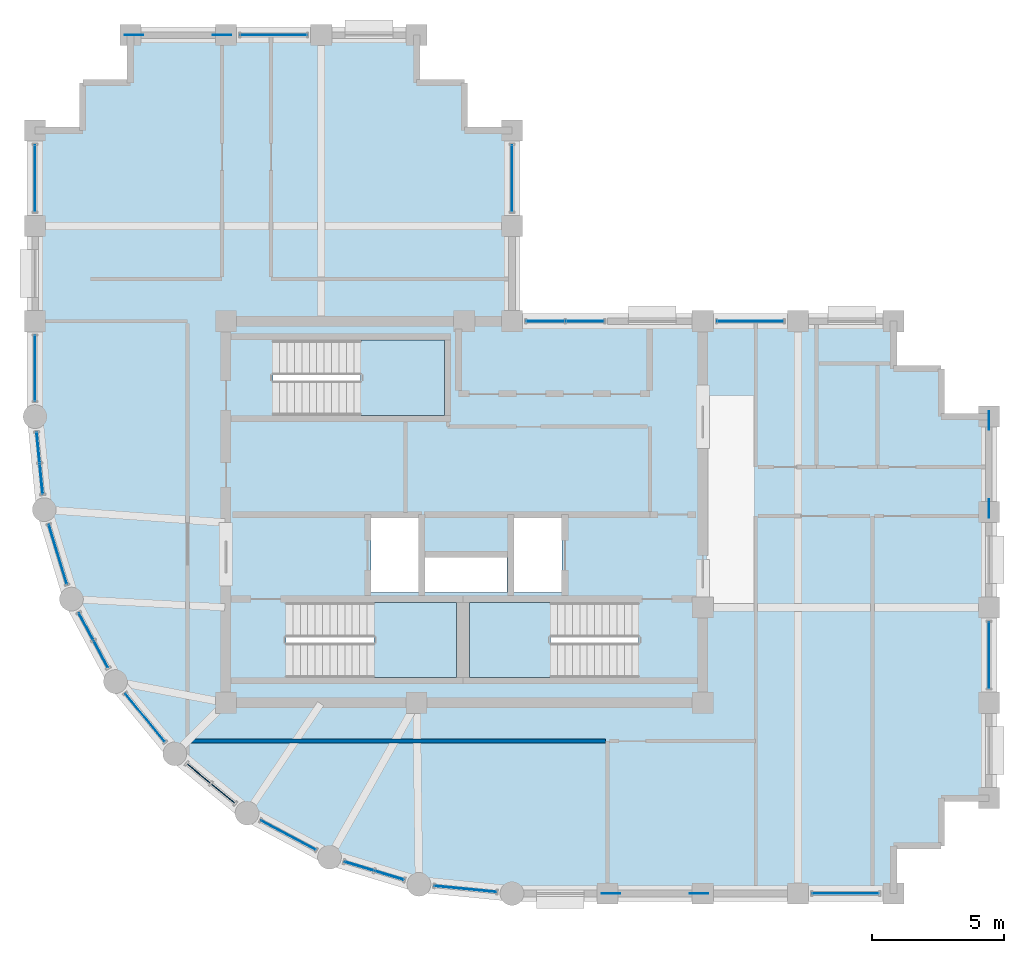
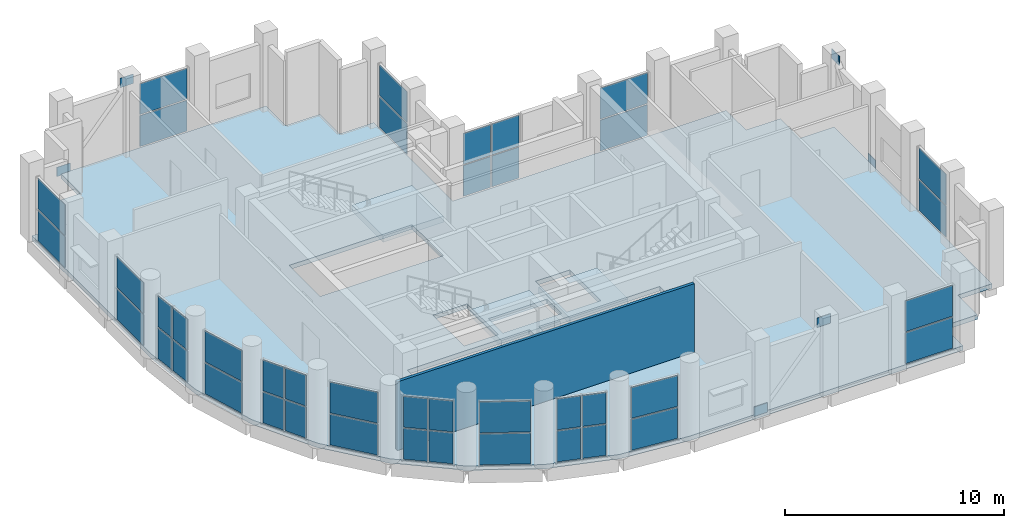
# One storey, part 13 of 18: 48 plates, 4 slabs, 1 wall, 19 elements without a shape of their own.
"""IFC4 building model written with IfcOpenShell, lengths in metres."""

from ifc_helpers import new_model, si_unit, direction, frame, frame_2d, origin, origin_2d, place, context, subcontext, project, spatial, polyline, rectangle, outline, extrude, material, layer, layer_set, type_object, element, aggregate, save


model = new_model("IFC4")

# Units and contexts
model_context = context("Model", 3, precision=1e-05, world=origin(), true_north=direction((0.0, 1.0)))
body_context = subcontext(model_context, "Body", "Model", "MODEL_VIEW")
ifc_project = project(units=[si_unit("LENGTHUNIT", "METRE"), si_unit("AREAUNIT", "SQUARE_METRE"), si_unit("VOLUMEUNIT", "CUBIC_METRE"), si_unit("PLANEANGLEUNIT", "RADIAN"), si_unit("MASSUNIT", "GRAM", prefix="KILO")], contexts=[model_context])

# Site, building, storey
site_placement = place(None, origin())
site = spatial("IfcSite", under=ifc_project, at=site_placement, CompositionType="ELEMENT")
building_placement = place(site_placement, origin())
building = spatial("IfcBuilding", under=site, at=building_placement, Name="Solnavia Interchange Tower", CompositionType="ELEMENT")
storey_placement = place(building_placement, frame((0.0, 0.0, 295.39990234375)))
storey = spatial("IfcBuildingStorey", under=building, at=storey_placement, Name="L75", CompositionType="ELEMENT", Elevation=295.39990234375)

# Curtain wall, plates
ifc_material_1 = material(Name="Aluminium Alloy 6063-T6", Category="aluminium")
ifc_layer_1 = layer(ifc_material_1, 0.219970703125)
ifc_layer_set_1 = layer_set([ifc_layer_1], Name="Aluminium Alloy 6063-T6")
curtain_wall_type_1 = type_object("IfcCurtainWallType", Name="CurtainWall-Tower-CTW3", PredefinedType="NOTDEFINED", material=ifc_layer_set_1)
curtain_wall_1_placement = place(storey_placement, origin())
curtain_wall_1 = element("IfcCurtainWall", 1, at=curtain_wall_1_placement, inside=storey, type_object=curtain_wall_type_1, Name="CTW-L75-S04 CTW-3 curtain wall", PredefinedType="NOTDEFINED")
ifc_material_2 = material(Name="Double-Glazed Low-E IGU Glass", Category="glass")
ifc_layer_2 = layer(ifc_material_2, 0.02587890625)
ifc_layer_set_2 = layer_set([ifc_layer_2], Name="Double-Glazed Low-E IGU Glass")
plate_type_1 = type_object("IfcPlateType", Name="CW-Panel-LowE-26", PredefinedType="CURTAIN_PANEL", material=ifc_layer_set_2)
plate_1_placement = place(storey_placement, frame((37.800048828125, 3.60009765625, 0.06494140625), z_axis=(0.0, 0.0, 1.0), x_axis=(1.0, 0.0, 0.0)))
plate_1 = element("IfcPlate", 2, at=plate_1_placement, type_object=plate_type_1, Name="CTW-3 panel 1.1", PredefinedType="CURTAIN_PANEL", context=body_context, shape_type="SweptSolid", body=[
    extrude(rectangle(XDim=2.489990234375, YDim=0.02587890625, at=origin_2d()), origin(), (0.0, 0.0, 1.0), 1.717529296875),
])
plate_2_placement = place(storey_placement, frame((37.800048828125, 3.60009765625, 1.84765625), z_axis=(0.0, 0.0, 1.0), x_axis=(1.0, 0.0, 0.0)))
plate_2 = element("IfcPlate", 3, at=plate_2_placement, type_object=plate_type_1, Name="CTW-3 panel 1.2", PredefinedType="CURTAIN_PANEL", context=body_context, shape_type="SweptSolid", body=[
    extrude(rectangle(XDim=2.489990234375, YDim=0.02587890625, at=origin_2d()), origin(), (0.0, 0.0, 1.0), 1.717529296875),
])
aggregate(curtain_wall_1, [plate_1, plate_2])

curtain_wall_2_placement = place(storey_placement, origin())
curtain_wall_2 = element("IfcCurtainWall", 4, at=curtain_wall_2_placement, inside=storey, type_object=curtain_wall_type_1, Name="CTW-L75-S10 CTW-3 curtain wall", PredefinedType="NOTDEFINED")
plate_3_placement = place(storey_placement, frame((43.199951171875, 12.60009765625, 0.06494140625), z_axis=(0.0, 0.0, 1.0), x_axis=(0.0, 1.0, 0.0)))
plate_3 = element("IfcPlate", 5, at=plate_3_placement, type_object=plate_type_1, Name="CTW-3 panel 1.1", PredefinedType="CURTAIN_PANEL", context=body_context, shape_type="SweptSolid", body=[
    extrude(rectangle(XDim=2.489990234375, YDim=0.02587890625, at=origin_2d()), origin(), (0.0, 0.0, 1.0), 1.717529296875),
])
plate_4_placement = place(storey_placement, frame((43.199951171875, 12.60009765625, 1.84765625), z_axis=(0.0, 0.0, 1.0), x_axis=(0.0, 1.0, 0.0)))
plate_4 = element("IfcPlate", 6, at=plate_4_placement, type_object=plate_type_1, Name="CTW-3 panel 1.2", PredefinedType="CURTAIN_PANEL", context=body_context, shape_type="SweptSolid", body=[
    extrude(rectangle(XDim=2.489990234375, YDim=0.02587890625, at=origin_2d()), origin(), (0.0, 0.0, 1.0), 1.717529296875),
])
aggregate(curtain_wall_2, [plate_3, plate_4])

curtain_wall_3_placement = place(storey_placement, origin())
curtain_wall_3 = element("IfcCurtainWall", 7, at=curtain_wall_3_placement, inside=storey, type_object=curtain_wall_type_1, Name="CTW-L75-S18 CTW-3 curtain wall", PredefinedType="NOTDEFINED")
plate_5_placement = place(storey_placement, frame((34.199951171875, 25.199951171875, 0.06494140625), z_axis=(0.0, 0.0, 1.0), x_axis=(-1.0, 0.0, 0.0)))
plate_5 = element("IfcPlate", 8, at=plate_5_placement, type_object=plate_type_1, Name="CTW-3 panel 1.1", PredefinedType="CURTAIN_PANEL", context=body_context, shape_type="SweptSolid", body=[
    extrude(rectangle(XDim=2.489990234375, YDim=0.02587890625, at=origin_2d()), origin(), (0.0, 0.0, 1.0), 1.717529296875),
])
plate_6_placement = place(storey_placement, frame((34.199951171875, 25.199951171875, 1.84765625), z_axis=(0.0, 0.0, 1.0), x_axis=(-1.0, 0.0, 0.0)))
plate_6 = element("IfcPlate", 9, at=plate_6_placement, type_object=plate_type_1, Name="CTW-3 panel 1.2", PredefinedType="CURTAIN_PANEL", context=body_context, shape_type="SweptSolid", body=[
    extrude(rectangle(XDim=2.489990234375, YDim=0.02587890625, at=origin_2d()), origin(), (0.0, 0.0, 1.0), 1.717529296875),
])
aggregate(curtain_wall_3, [plate_5, plate_6])

curtain_wall_4_placement = place(storey_placement, origin())
curtain_wall_4 = element("IfcCurtainWall", 10, at=curtain_wall_4_placement, inside=storey, type_object=curtain_wall_type_1, Name="CTW-L75-S20 CTW-3 curtain wall", PredefinedType="NOTDEFINED")
plate_7_placement = place(storey_placement, frame((27.958740234375, 25.199951171875, 0.06494140625), z_axis=(0.0, 0.0, 1.0), x_axis=(-1.0, 0.0, 0.0)))
plate_7 = element("IfcPlate", 11, at=plate_7_placement, type_object=plate_type_1, Name="CTW-3 panel 1.1", PredefinedType="CURTAIN_PANEL", context=body_context, shape_type="SweptSolid", body=[
    extrude(rectangle(XDim=1.422607421875, YDim=0.02587890625, at=origin_2d()), origin(), (0.0, 0.0, 1.0), 1.717529296875),
])
plate_8_placement = place(storey_placement, frame((27.958740234375, 25.199951171875, 1.84765625), z_axis=(0.0, 0.0, 1.0), x_axis=(-1.0, 0.0, 0.0)))
plate_8 = element("IfcPlate", 12, at=plate_8_placement, type_object=plate_type_1, Name="CTW-3 panel 1.2", PredefinedType="CURTAIN_PANEL", context=body_context, shape_type="SweptSolid", body=[
    extrude(rectangle(XDim=1.422607421875, YDim=0.02587890625, at=origin_2d()), origin(), (0.0, 0.0, 1.0), 1.717529296875),
])
plate_9_placement = place(storey_placement, frame((26.46630859375, 25.199951171875, 0.06494140625), z_axis=(0.0, 0.0, 1.0), x_axis=(-1.0, 0.0, 0.0)))
plate_9 = element("IfcPlate", 13, at=plate_9_placement, type_object=plate_type_1, Name="CTW-3 panel 2.1", PredefinedType="CURTAIN_PANEL", context=body_context, shape_type="SweptSolid", body=[
    extrude(rectangle(XDim=1.422607421875, YDim=0.02587890625, at=origin_2d()), origin(), (0.0, 0.0, 1.0), 1.717529296875),
])
plate_10_placement = place(storey_placement, frame((26.46630859375, 25.199951171875, 1.84765625), z_axis=(0.0, 0.0, 1.0), x_axis=(-1.0, 0.0, 0.0)))
plate_10 = element("IfcPlate", 14, at=plate_10_placement, type_object=plate_type_1, Name="CTW-3 panel 2.2", PredefinedType="CURTAIN_PANEL", context=body_context, shape_type="SweptSolid", body=[
    extrude(rectangle(XDim=1.422607421875, YDim=0.02587890625, at=origin_2d()), origin(), (0.0, 0.0, 1.0), 1.717529296875),
])
aggregate(curtain_wall_4, [plate_7, plate_8, plate_9, plate_10])

curtain_wall_5_placement = place(storey_placement, origin())
curtain_wall_5 = element("IfcCurtainWall", 15, at=curtain_wall_5_placement, inside=storey, type_object=curtain_wall_type_1, Name="CTW-L75-S22 CTW-3 curtain wall", PredefinedType="NOTDEFINED")
plate_11_placement = place(storey_placement, frame((25.199951171875, 30.60009765625, 0.06494140625), z_axis=(0.0, 0.0, 1.0), x_axis=(0.0, 1.0, 0.0)))
plate_11 = element("IfcPlate", 16, at=plate_11_placement, type_object=plate_type_1, Name="CTW-3 panel 1.1", PredefinedType="CURTAIN_PANEL", context=body_context, shape_type="SweptSolid", body=[
    extrude(rectangle(XDim=2.489990234375, YDim=0.02587890625, at=origin_2d()), origin(), (0.0, 0.0, 1.0), 1.717529296875),
])
plate_12_placement = place(storey_placement, frame((25.199951171875, 30.60009765625, 1.84765625), z_axis=(0.0, 0.0, 1.0), x_axis=(0.0, 1.0, 0.0)))
plate_12 = element("IfcPlate", 17, at=plate_12_placement, type_object=plate_type_1, Name="CTW-3 panel 1.2", PredefinedType="CURTAIN_PANEL", context=body_context, shape_type="SweptSolid", body=[
    extrude(rectangle(XDim=2.489990234375, YDim=0.02587890625, at=origin_2d()), origin(), (0.0, 0.0, 1.0), 1.717529296875),
])
aggregate(curtain_wall_5, [plate_11, plate_12])

curtain_wall_6_placement = place(storey_placement, origin())
curtain_wall_6 = element("IfcCurtainWall", 18, at=curtain_wall_6_placement, inside=storey, type_object=curtain_wall_type_1, Name="CTW-L75-S28 CTW-3 curtain wall", PredefinedType="NOTDEFINED")
plate_13_placement = place(storey_placement, frame((16.199951171875, 36.0, 0.06494140625), z_axis=(0.0, 0.0, 1.0), x_axis=(-1.0, 0.0, 0.0)))
plate_13 = element("IfcPlate", 19, at=plate_13_placement, type_object=plate_type_1, Name="CTW-3 panel 1.1", PredefinedType="CURTAIN_PANEL", context=body_context, shape_type="SweptSolid", body=[
    extrude(rectangle(XDim=2.489990234375, YDim=0.02587890625, at=origin_2d()), origin(), (0.0, 0.0, 1.0), 1.717529296875),
])
plate_14_placement = place(storey_placement, frame((16.199951171875, 36.0, 1.84765625), z_axis=(0.0, 0.0, 1.0), x_axis=(-1.0, 0.0, 0.0)))
plate_14 = element("IfcPlate", 20, at=plate_14_placement, type_object=plate_type_1, Name="CTW-3 panel 1.2", PredefinedType="CURTAIN_PANEL", context=body_context, shape_type="SweptSolid", body=[
    extrude(rectangle(XDim=2.489990234375, YDim=0.02587890625, at=origin_2d()), origin(), (0.0, 0.0, 1.0), 1.717529296875),
])
aggregate(curtain_wall_6, [plate_13, plate_14])

curtain_wall_7_placement = place(storey_placement, origin())
curtain_wall_7 = element("IfcCurtainWall", 21, at=curtain_wall_7_placement, inside=storey, type_object=curtain_wall_type_1, Name="CTW-L75-S34 CTW-3 curtain wall", PredefinedType="NOTDEFINED")
plate_15_placement = place(storey_placement, frame((7.199951171875, 30.60009765625, 0.06494140625), z_axis=(0.0, 0.0, 1.0), x_axis=(0.0, -1.0, 0.0)))
plate_15 = element("IfcPlate", 22, at=plate_15_placement, type_object=plate_type_1, Name="CTW-3 panel 1.1", PredefinedType="CURTAIN_PANEL", context=body_context, shape_type="SweptSolid", body=[
    extrude(rectangle(XDim=2.489990234375, YDim=0.02587890625, at=origin_2d()), origin(), (0.0, 0.0, 1.0), 1.717529296875),
])
plate_16_placement = place(storey_placement, frame((7.199951171875, 30.60009765625, 1.84765625), z_axis=(0.0, 0.0, 1.0), x_axis=(0.0, -1.0, 0.0)))
plate_16 = element("IfcPlate", 23, at=plate_16_placement, type_object=plate_type_1, Name="CTW-3 panel 1.2", PredefinedType="CURTAIN_PANEL", context=body_context, shape_type="SweptSolid", body=[
    extrude(rectangle(XDim=2.489990234375, YDim=0.02587890625, at=origin_2d()), origin(), (0.0, 0.0, 1.0), 1.717529296875),
])
aggregate(curtain_wall_7, [plate_15, plate_16])

curtain_wall_8_placement = place(storey_placement, origin())
curtain_wall_8 = element("IfcCurtainWall", 24, at=curtain_wall_8_placement, inside=storey, type_object=curtain_wall_type_1, Name="CTW-L75-S36 CTW-3 curtain wall", PredefinedType="NOTDEFINED")
plate_17_placement = place(storey_placement, frame((7.199951171875, 23.425048828125, 0.06494140625), z_axis=(0.0, 0.0, 1.0), x_axis=(0.0, -1.0, 0.0)))
plate_17 = element("IfcPlate", 25, at=plate_17_placement, type_object=plate_type_1, Name="CTW-3 panel 1.1", PredefinedType="CURTAIN_PANEL", context=body_context, shape_type="SweptSolid", body=[
    extrude(rectangle(XDim=2.43994140625, YDim=0.02587890625, at=origin_2d()), origin(), (0.0, 0.0, 1.0), 1.717529296875),
])
plate_18_placement = place(storey_placement, frame((7.199951171875, 23.425048828125, 1.84765625), z_axis=(0.0, 0.0, 1.0), x_axis=(0.0, -1.0, 0.0)))
plate_18 = element("IfcPlate", 26, at=plate_18_placement, type_object=plate_type_1, Name="CTW-3 panel 1.2", PredefinedType="CURTAIN_PANEL", context=body_context, shape_type="SweptSolid", body=[
    extrude(rectangle(XDim=2.43994140625, YDim=0.02587890625, at=origin_2d()), origin(), (0.0, 0.0, 1.0), 1.717529296875),
])
aggregate(curtain_wall_8, [plate_17, plate_18])

curtain_wall_9_placement = place(storey_placement, origin())
curtain_wall_9 = element("IfcCurtainWall", 27, at=curtain_wall_9_placement, inside=storey, type_object=curtain_wall_type_1, Name="CTW-L75-S38 CTW-3 curtain wall", PredefinedType="NOTDEFINED")
plate_19_placement = place(storey_placement, frame((8.05810546875, 16.39990234375, 0.06494140625), z_axis=(0.0, 0.0, 1.0), x_axis=(0.290258074897, -0.956948405065, 0.0)))
plate_19 = element("IfcPlate", 28, at=plate_19_placement, type_object=plate_type_1, Name="CTW-3 panel 1.1", PredefinedType="CURTAIN_PANEL", context=body_context, shape_type="SweptSolid", body=[
    extrude(rectangle(XDim=2.31787109375, YDim=0.02587890625, at=origin_2d()), origin(), (0.0, 0.0, 1.0), 1.717529296875),
])
plate_20_placement = place(storey_placement, frame((8.05810546875, 16.39990234375, 1.84765625), z_axis=(0.0, 0.0, 1.0), x_axis=(0.290258074897, -0.956948405065, 0.0)))
plate_20 = element("IfcPlate", 29, at=plate_20_placement, type_object=plate_type_1, Name="CTW-3 panel 1.2", PredefinedType="CURTAIN_PANEL", context=body_context, shape_type="SweptSolid", body=[
    extrude(rectangle(XDim=2.31787109375, YDim=0.02587890625, at=origin_2d()), origin(), (0.0, 0.0, 1.0), 1.717529296875),
])
aggregate(curtain_wall_9, [plate_19, plate_20])

curtain_wall_10_placement = place(storey_placement, origin())
curtain_wall_10 = element("IfcCurtainWall", 30, at=curtain_wall_10_placement, inside=storey, type_object=curtain_wall_type_1, Name="CTW-L75-S40 CTW-3 curtain wall", PredefinedType="NOTDEFINED")
plate_21_placement = place(storey_placement, frame((11.35302734375, 10.236083984375, 0.06494140625), z_axis=(0.0, 0.0, 1.0), x_axis=(0.634260514326, -0.773119395674, 0.0)))
plate_21 = element("IfcPlate", 31, at=plate_21_placement, type_object=plate_type_1, Name="CTW-3 panel 1.1", PredefinedType="CURTAIN_PANEL", context=body_context, shape_type="SweptSolid", body=[
    extrude(rectangle(XDim=2.318603515625, YDim=0.02587890625, at=origin_2d()), origin(), (0.0, 0.0, 1.0), 1.717529296875),
])
plate_22_placement = place(storey_placement, frame((11.35302734375, 10.236083984375, 1.84765625), z_axis=(0.0, 0.0, 1.0), x_axis=(0.634260514326, -0.773119395674, 0.0)))
plate_22 = element("IfcPlate", 32, at=plate_22_placement, type_object=plate_type_1, Name="CTW-3 panel 1.2", PredefinedType="CURTAIN_PANEL", context=body_context, shape_type="SweptSolid", body=[
    extrude(rectangle(XDim=2.318603515625, YDim=0.02587890625, at=origin_2d()), origin(), (0.0, 0.0, 1.0), 1.717529296875),
])
aggregate(curtain_wall_10, [plate_21, plate_22])

curtain_wall_11_placement = place(storey_placement, origin())
curtain_wall_11 = element("IfcCurtainWall", 33, at=curtain_wall_11_placement, inside=storey, type_object=curtain_wall_type_1, Name="CTW-L75-S42 CTW-3 curtain wall", PredefinedType="NOTDEFINED")
plate_23_placement = place(storey_placement, frame((16.756103515625, 5.802001953125, 0.06494140625), z_axis=(0.0, 0.0, 1.0), x_axis=(0.881859366806, -0.4715125207, 0.0)))
plate_23 = element("IfcPlate", 34, at=plate_23_placement, type_object=plate_type_1, Name="CTW-3 panel 1.1", PredefinedType="CURTAIN_PANEL", context=body_context, shape_type="SweptSolid", body=[
    extrude(rectangle(XDim=2.31884765625, YDim=0.02587890625, at=origin_2d()), origin(), (0.0, 0.0, 1.0), 1.717529296875),
])
plate_24_placement = place(storey_placement, frame((16.756103515625, 5.802001953125, 1.84765625), z_axis=(0.0, 0.0, 1.0), x_axis=(0.881859366806, -0.4715125207, 0.0)))
plate_24 = element("IfcPlate", 35, at=plate_24_placement, type_object=plate_type_1, Name="CTW-3 panel 1.2", PredefinedType="CURTAIN_PANEL", context=body_context, shape_type="SweptSolid", body=[
    extrude(rectangle(XDim=2.31884765625, YDim=0.02587890625, at=origin_2d()), origin(), (0.0, 0.0, 1.0), 1.717529296875),
])
aggregate(curtain_wall_11, [plate_23, plate_24])

curtain_wall_12_placement = place(storey_placement, origin())
curtain_wall_12 = element("IfcCurtainWall", 36, at=curtain_wall_12_placement, inside=storey, type_object=curtain_wall_type_1, Name="CTW-L75-S44 CTW-3 curtain wall", PredefinedType="NOTDEFINED")
plate_25_placement = place(storey_placement, frame((23.444091796875, 3.77294921875, 0.06494140625), z_axis=(0.0, 0.0, 1.0), x_axis=(0.99518584375, -0.098005797786, 0.0)))
plate_25 = element("IfcPlate", 37, at=plate_25_placement, type_object=plate_type_1, Name="CTW-3 panel 1.1", PredefinedType="CURTAIN_PANEL", context=body_context, shape_type="SweptSolid", body=[
    extrude(rectangle(XDim=2.319091796875, YDim=0.02587890625, at=origin_2d()), origin(), (0.0, 0.0, 1.0), 1.717529296875),
])
plate_26_placement = place(storey_placement, frame((23.444091796875, 3.77294921875, 1.84765625), z_axis=(0.0, 0.0, 1.0), x_axis=(0.99518584375, -0.098005797786, 0.0)))
plate_26 = element("IfcPlate", 38, at=plate_26_placement, type_object=plate_type_1, Name="CTW-3 panel 1.2", PredefinedType="CURTAIN_PANEL", context=body_context, shape_type="SweptSolid", body=[
    extrude(rectangle(XDim=2.319091796875, YDim=0.02587890625, at=origin_2d()), origin(), (0.0, 0.0, 1.0), 1.717529296875),
])
aggregate(curtain_wall_12, [plate_25, plate_26])

ifc_layer_3 = layer(ifc_material_1, 0.239990234375)
ifc_layer_set_3 = layer_set([ifc_layer_3], Name="Aluminium Alloy 6063-T6")
curtain_wall_type_2 = type_object("IfcCurtainWallType", Name="CurtainWall-Drum-CTW2", PredefinedType="NOTDEFINED", material=ifc_layer_set_3)
curtain_wall_13_placement = place(storey_placement, origin())
curtain_wall_13 = element("IfcCurtainWall", 39, at=curtain_wall_13_placement, inside=storey, type_object=curtain_wall_type_2, Name="CTW-L75-D37 CTW-2 curtain wall", PredefinedType="NOTDEFINED")
ifc_layer_4 = layer(ifc_material_2, 0.031982421875)
ifc_layer_set_4 = layer_set([ifc_layer_4], Name="Double-Glazed Low-E IGU Glass")
plate_type_2 = type_object("IfcPlateType", Name="CW-Panel-Solar-32", PredefinedType="CURTAIN_PANEL", material=ifc_layer_set_4)
plate_27_placement = place(storey_placement, frame((7.314697265625, 20.435791015625, 0.06494140625), z_axis=(0.0, 0.0, 1.0), x_axis=(0.098043088306, -0.995182170678, 0.0)))
plate_27 = element("IfcPlate", 40, at=plate_27_placement, type_object=plate_type_2, Name="CTW-2 panel 1.1", PredefinedType="CURTAIN_PANEL", context=body_context, shape_type="SweptSolid", body=[
    extrude(rectangle(XDim=1.114501953125, YDim=0.031982421875, at=origin_2d()), origin(), (0.0, 0.0, 1.0), 1.717529296875),
])
plate_28_placement = place(storey_placement, frame((7.314697265625, 20.435791015625, 1.84765625), z_axis=(0.0, 0.0, 1.0), x_axis=(0.098043088306, -0.995182170678, 0.0)))
plate_28 = element("IfcPlate", 41, at=plate_28_placement, type_object=plate_type_2, Name="CTW-2 panel 1.2", PredefinedType="CURTAIN_PANEL", context=body_context, shape_type="SweptSolid", body=[
    extrude(rectangle(XDim=1.114501953125, YDim=0.031982421875, at=origin_2d()), origin(), (0.0, 0.0, 1.0), 1.717529296875),
])
plate_29_placement = place(storey_placement, frame((7.431396484375, 19.252197265625, 0.06494140625), z_axis=(0.0, 0.0, 1.0), x_axis=(0.098043088306, -0.995182170678, 0.0)))
plate_29 = element("IfcPlate", 42, at=plate_29_placement, type_object=plate_type_2, Name="CTW-2 panel 2.1", PredefinedType="CURTAIN_PANEL", context=body_context, shape_type="SweptSolid", body=[
    extrude(rectangle(XDim=1.114501953125, YDim=0.031982421875, at=origin_2d()), origin(), (0.0, 0.0, 1.0), 1.717529296875),
])
plate_30_placement = place(storey_placement, frame((7.431396484375, 19.252197265625, 1.84765625), z_axis=(0.0, 0.0, 1.0), x_axis=(0.098043088306, -0.995182170678, 0.0)))
plate_30 = element("IfcPlate", 43, at=plate_30_placement, type_object=plate_type_2, Name="CTW-2 panel 2.2", PredefinedType="CURTAIN_PANEL", context=body_context, shape_type="SweptSolid", body=[
    extrude(rectangle(XDim=1.114501953125, YDim=0.031982421875, at=origin_2d()), origin(), (0.0, 0.0, 1.0), 1.717529296875),
])
aggregate(curtain_wall_13, [plate_27, plate_28, plate_29, plate_30])

curtain_wall_14_placement = place(storey_placement, origin())
curtain_wall_14 = element("IfcCurtainWall", 44, at=curtain_wall_14_placement, inside=storey, type_object=curtain_wall_type_2, Name="CTW-L75-D39 CTW-2 curtain wall", PredefinedType="NOTDEFINED")
plate_31_placement = place(storey_placement, frame((9.12158203125, 13.680419921875, 0.06494140625), z_axis=(0.0, 0.0, 1.0), x_axis=(0.471560876964, -0.881833509976, 0.0)))
plate_31 = element("IfcPlate", 45, at=plate_31_placement, type_object=plate_type_2, Name="CTW-2 panel 1.1", PredefinedType="CURTAIN_PANEL", context=body_context, shape_type="SweptSolid", body=[
    extrude(rectangle(XDim=1.114501953125, YDim=0.031982421875, at=origin_2d()), origin(), (0.0, 0.0, 1.0), 1.717529296875),
])
plate_32_placement = place(storey_placement, frame((9.12158203125, 13.680419921875, 1.84765625), z_axis=(0.0, 0.0, 1.0), x_axis=(0.471560876964, -0.881833509976, 0.0)))
plate_32 = element("IfcPlate", 46, at=plate_32_placement, type_object=plate_type_2, Name="CTW-2 panel 1.2", PredefinedType="CURTAIN_PANEL", context=body_context, shape_type="SweptSolid", body=[
    extrude(rectangle(XDim=1.114501953125, YDim=0.031982421875, at=origin_2d()), origin(), (0.0, 0.0, 1.0), 1.717529296875),
])
plate_33_placement = place(storey_placement, frame((9.682373046875, 12.631591796875, 0.06494140625), z_axis=(0.0, 0.0, 1.0), x_axis=(0.471560876964, -0.881833509976, 0.0)))
plate_33 = element("IfcPlate", 47, at=plate_33_placement, type_object=plate_type_2, Name="CTW-2 panel 2.1", PredefinedType="CURTAIN_PANEL", context=body_context, shape_type="SweptSolid", body=[
    extrude(rectangle(XDim=1.114501953125, YDim=0.031982421875, at=origin_2d()), origin(), (0.0, 0.0, 1.0), 1.717529296875),
])
plate_34_placement = place(storey_placement, frame((9.682373046875, 12.631591796875, 1.84765625), z_axis=(0.0, 0.0, 1.0), x_axis=(0.471560876964, -0.881833509976, 0.0)))
plate_34 = element("IfcPlate", 48, at=plate_34_placement, type_object=plate_type_2, Name="CTW-2 panel 2.2", PredefinedType="CURTAIN_PANEL", context=body_context, shape_type="SweptSolid", body=[
    extrude(rectangle(XDim=1.114501953125, YDim=0.031982421875, at=origin_2d()), origin(), (0.0, 0.0, 1.0), 1.717529296875),
])
aggregate(curtain_wall_14, [plate_31, plate_32, plate_33, plate_34])

curtain_wall_15_placement = place(storey_placement, origin())
curtain_wall_15 = element("IfcCurtainWall", 49, at=curtain_wall_15_placement, inside=storey, type_object=curtain_wall_type_2, Name="CTW-L75-D41 CTW-2 curtain wall", PredefinedType="NOTDEFINED")
plate_35_placement = place(storey_placement, frame((13.376220703125, 8.130126953125, 0.06494140625), z_axis=(0.0, 0.0, 1.0), x_axis=(0.773103093557, -0.634280384951, 0.0)))
plate_35 = element("IfcPlate", 50, at=plate_35_placement, type_object=plate_type_2, Name="CTW-2 panel 1.1", PredefinedType="CURTAIN_PANEL", context=body_context, shape_type="SweptSolid", body=[
    extrude(rectangle(XDim=1.1142578125, YDim=0.031982421875, at=origin_2d()), origin(), (0.0, 0.0, 1.0), 1.717529296875),
])
plate_36_placement = place(storey_placement, frame((13.376220703125, 8.130126953125, 1.84765625), z_axis=(0.0, 0.0, 1.0), x_axis=(0.773103093557, -0.634280384951, 0.0)))
plate_36 = element("IfcPlate", 51, at=plate_36_placement, type_object=plate_type_2, Name="CTW-2 panel 1.2", PredefinedType="CURTAIN_PANEL", context=body_context, shape_type="SweptSolid", body=[
    extrude(rectangle(XDim=1.1142578125, YDim=0.031982421875, at=origin_2d()), origin(), (0.0, 0.0, 1.0), 1.717529296875),
])
plate_37_placement = place(storey_placement, frame((14.295654296875, 7.375732421875, 0.06494140625), z_axis=(0.0, 0.0, 1.0), x_axis=(0.773103093557, -0.634280384951, 0.0)))
plate_37 = element("IfcPlate", 52, at=plate_37_placement, type_object=plate_type_2, Name="CTW-2 panel 2.1", PredefinedType="CURTAIN_PANEL", context=body_context, shape_type="SweptSolid", body=[
    extrude(rectangle(XDim=1.1142578125, YDim=0.031982421875, at=origin_2d()), origin(), (0.0, 0.0, 1.0), 1.717529296875),
])
plate_38_placement = place(storey_placement, frame((14.295654296875, 7.375732421875, 1.84765625), z_axis=(0.0, 0.0, 1.0), x_axis=(0.773103093557, -0.634280384951, 0.0)))
plate_38 = element("IfcPlate", 53, at=plate_38_placement, type_object=plate_type_2, Name="CTW-2 panel 2.2", PredefinedType="CURTAIN_PANEL", context=body_context, shape_type="SweptSolid", body=[
    extrude(rectangle(XDim=1.1142578125, YDim=0.031982421875, at=origin_2d()), origin(), (0.0, 0.0, 1.0), 1.717529296875),
])
aggregate(curtain_wall_15, [plate_35, plate_36, plate_37, plate_38])

curtain_wall_16_placement = place(storey_placement, origin())
curtain_wall_16 = element("IfcCurtainWall", 54, at=curtain_wall_16_placement, inside=storey, type_object=curtain_wall_type_2, Name="CTW-L75-D43 CTW-2 curtain wall", PredefinedType="NOTDEFINED")
plate_39_placement = place(storey_placement, frame((19.43115234375, 4.630615234375, 0.06494140625), z_axis=(0.0, 0.0, 1.0), x_axis=(0.956942072515, -0.290278951786, 0.0)))
plate_39 = element("IfcPlate", 55, at=plate_39_placement, type_object=plate_type_2, Name="CTW-2 panel 1.1", PredefinedType="CURTAIN_PANEL", context=body_context, shape_type="SweptSolid", body=[
    extrude(rectangle(XDim=1.114013671875, YDim=0.031982421875, at=origin_2d()), origin(), (0.0, 0.0, 1.0), 1.717529296875),
])
plate_40_placement = place(storey_placement, frame((19.43115234375, 4.630615234375, 1.84765625), z_axis=(0.0, 0.0, 1.0), x_axis=(0.956942072515, -0.290278951786, 0.0)))
plate_40 = element("IfcPlate", 56, at=plate_40_placement, type_object=plate_type_2, Name="CTW-2 panel 1.2", PredefinedType="CURTAIN_PANEL", context=body_context, shape_type="SweptSolid", body=[
    extrude(rectangle(XDim=1.114013671875, YDim=0.031982421875, at=origin_2d()), origin(), (0.0, 0.0, 1.0), 1.717529296875),
])
plate_41_placement = place(storey_placement, frame((20.56884765625, 4.285400390625, 0.06494140625), z_axis=(0.0, 0.0, 1.0), x_axis=(0.956942072515, -0.290278951786, 0.0)))
plate_41 = element("IfcPlate", 57, at=plate_41_placement, type_object=plate_type_2, Name="CTW-2 panel 2.1", PredefinedType="CURTAIN_PANEL", context=body_context, shape_type="SweptSolid", body=[
    extrude(rectangle(XDim=1.114013671875, YDim=0.031982421875, at=origin_2d()), origin(), (0.0, 0.0, 1.0), 1.717529296875),
])
plate_42_placement = place(storey_placement, frame((20.56884765625, 4.285400390625, 1.84765625), z_axis=(0.0, 0.0, 1.0), x_axis=(0.956942072515, -0.290278951786, 0.0)))
plate_42 = element("IfcPlate", 58, at=plate_42_placement, type_object=plate_type_2, Name="CTW-2 panel 2.2", PredefinedType="CURTAIN_PANEL", context=body_context, shape_type="SweptSolid", body=[
    extrude(rectangle(XDim=1.114013671875, YDim=0.031982421875, at=origin_2d()), origin(), (0.0, 0.0, 1.0), 1.717529296875),
])
aggregate(curtain_wall_16, [plate_39, plate_40, plate_41, plate_42])

# Plates
ifc_material_3 = material(Name="Steel S460", Category="steel")
ifc_layer_5 = layer(ifc_material_3, 0.030029296875)
ifc_layer_set_5 = layer_set([ifc_layer_5], Name="Steel S460")
plate_type_3 = type_object("IfcPlateType", Name="Plate-Gusset-700x520x30", PredefinedType="USERDEFINED", material=ifc_layer_set_5)
for number, where, z_axis, x_axis, name in (
    (59, (28.93994140625, 3.60009765625, -0.079833984375), (0.0, 0.0, 1.0), (1.0, 0.0, 0.0), "PLT-L75-GP01 Perimeter brace gusset plate"),
    (60, (32.260009765625, 3.60009765625, 3.710205078125), (0.0, 0.0, 1.0), (1.0, 0.0, 0.0), "PLT-L75-GP02 Perimeter brace gusset plate"),
    (61, (43.199951171875, 18.139892578125, -0.079833984375), (0.0, 0.0, 1.0), (0.0, 1.0, 0.0), "PLT-L75-GP03 Perimeter brace gusset plate"),
    (62, (43.199951171875, 21.4599609375, 3.710205078125), (0.0, 0.0, 1.0), (0.0, 1.0, 0.0), "PLT-L75-GP04 Perimeter brace gusset plate"),
    (63, (10.93994140625, 36.0, -0.079833984375), (0.0, 0.0, 1.0), (1.0, 0.0, 0.0), "PLT-L75-GP05 Perimeter brace gusset plate"),
    (64, (14.260009765625, 36.0, 3.710205078125), (0.0, 0.0, 1.0), (1.0, 0.0, 0.0), "PLT-L75-GP06 Perimeter brace gusset plate"),
):
    element("IfcPlate", number, at=place(storey_placement, frame(where, z_axis=z_axis, x_axis=x_axis)), inside=storey, type_object=plate_type_3, Name=name, ObjectType="GUSSET PLATE", PredefinedType="USERDEFINED", context=body_context, shape_type="SweptSolid", body=[
        extrude(rectangle(XDim=0.699951171875, YDim=0.030029296875, at=origin_2d()), origin(), (0.0, 0.0, 1.0), 0.52001953125),
    ])

# Stair, slab
ifc_material_4 = material(Name="Concrete C40/50", Category="concrete")
stair_type = type_object("IfcStairType", Name="Stair-Dogleg-RC", PredefinedType="HALF_TURN_STAIR", material=ifc_material_4)
stair_1_placement = place(storey_placement, origin())
stair_1 = element("IfcStair", 65, at=stair_1_placement, inside=storey, type_object=stair_type, Name="L75 Core exit stair 1", PredefinedType="HALF_TURN_STAIR")
ifc_layer_6 = layer(ifc_material_4, 0.35009765625)
ifc_layer_set_6 = layer_set([ifc_layer_6], Name="Concrete C40/50")
slab_type_1 = type_object("IfcSlabType", Name="Slab-StairLanding-350", PredefinedType="LANDING", material=ifc_layer_set_6)
slab_1_placement = place(storey_placement, frame((0.0, 0.0, 1.85009765625)))
slab_1 = element("IfcSlab", 66, at=slab_1_placement, type_object=slab_type_1, Name="ST-1 landing 1", PredefinedType="LANDING", context=body_context, shape_type="SweptSolid", body=[
    extrude(outline(polyline([(19.988037109375, 11.75), (23.10009765625, 11.75), (23.10009765625, 14.590087890625), (19.988037109375, 14.590087890625), (19.988037109375, 11.75)])), origin(), (0.0, 0.0, 1.0), 0.35009765625),
])
aggregate(stair_1, [slab_1])

stair_2_placement = place(storey_placement, origin())
stair_2 = element("IfcStair", 67, at=stair_2_placement, inside=storey, type_object=stair_type, Name="L75 Core exit stair 2", PredefinedType="HALF_TURN_STAIR")
slab_2_placement = place(storey_placement, frame((0.0, 0.0, 1.85009765625)))
slab_2 = element("IfcSlab", 68, at=slab_2_placement, type_object=slab_type_1, Name="ST-2 landing 1", PredefinedType="LANDING", context=body_context, shape_type="SweptSolid", body=[
    extrude(outline(polyline([(23.60009765625, 11.75), (26.662109375, 11.75), (26.662109375, 14.590087890625), (23.60009765625, 14.590087890625), (23.60009765625, 11.75)])), origin(), (0.0, 0.0, 1.0), 0.35009765625),
])
aggregate(stair_2, [slab_2])

stair_3_placement = place(storey_placement, origin())
stair_3 = element("IfcStair", 69, at=stair_3_placement, inside=storey, type_object=stair_type, Name="L75 Core exit stair 3", PredefinedType="HALF_TURN_STAIR")
slab_3_placement = place(storey_placement, frame((0.0, 0.0, 1.85009765625)))
slab_3 = element("IfcSlab", 70, at=slab_3_placement, type_object=slab_type_1, Name="ST-3 landing 1", PredefinedType="LANDING", context=body_context, shape_type="SweptSolid", body=[
    extrude(outline(polyline([(19.488037109375, 21.64990234375), (22.64990234375, 21.64990234375), (22.64990234375, 24.489990234375), (19.488037109375, 24.489990234375), (19.488037109375, 21.64990234375)])), origin(), (0.0, 0.0, 1.0), 0.35009765625),
])
aggregate(stair_3, [slab_3])

# Slab
ifc_layer_7 = layer(ifc_material_4, 0.25)
ifc_layer_set_7 = layer_set([ifc_layer_7], Name="Concrete C40/50")
slab_type_2 = type_object("IfcSlabType", Name="Slab-Tower-250", PredefinedType="FLOOR", material=ifc_layer_set_7)
slab_4_placement = place(storey_placement, frame((0.0, 0.0, -0.25)))
element("IfcSlab", 71, at=slab_4_placement, inside=storey, type_object=slab_type_2, Name="SLB-L75-01 Structural floor slab", PredefinedType="FLOOR", context=body_context, shape_type="SweptSolid", body=[
    extrude(outline(polyline([(25.199951171875, 3.60009765625), (39.60009765625, 3.60009765625), (39.60009765625, 5.39990234375), (41.39990234375, 5.39990234375), (41.39990234375, 7.199951171875), (43.199951171875, 7.199951171875), (43.199951171875, 21.60009765625), (41.39990234375, 21.60009765625), (41.39990234375, 23.39990234375), (39.60009765625, 23.39990234375), (39.60009765625, 25.199951171875), (25.199951171875, 25.199951171875), (25.199951171875, 32.39990234375), (23.39990234375, 32.39990234375), (23.39990234375, 34.199951171875), (21.60009765625, 34.199951171875), (21.60009765625, 36.0), (10.800048828125, 36.0), (10.800048828125, 34.199951171875), (9.0, 34.199951171875), (9.0, 32.39990234375), (7.199951171875, 32.39990234375), (7.199951171875, 21.60009765625), (7.5458984375, 18.087890625), (8.570068359375, 14.7119140625), (10.23388671875, 11.60009765625), (12.471923828125, 8.8720703125), (15.199951171875, 6.634033203125), (18.31201171875, 4.969970703125), (21.68798828125, 3.946044921875), (25.199951171875, 3.60009765625)]), holes=[polyline([(16.675048828125, 11.75), (23.10009765625, 11.75), (23.10009765625, 14.590087890625), (16.675048828125, 14.590087890625), (16.675048828125, 11.75)]), polyline([(23.60009765625, 11.75), (29.97509765625, 11.75), (29.97509765625, 14.590087890625), (23.60009765625, 14.590087890625), (23.60009765625, 11.75)]), polyline([(16.175048828125, 21.64990234375), (22.64990234375, 21.64990234375), (22.64990234375, 24.489990234375), (16.175048828125, 24.489990234375), (16.175048828125, 21.64990234375)]), polyline([(19.8798828125, 14.9599609375), (21.679931640625, 14.9599609375), (21.679931640625, 17.780029296875), (19.8798828125, 17.780029296875), (19.8798828125, 14.9599609375)]), polyline([(25.280029296875, 14.9599609375), (27.080078125, 14.9599609375), (27.080078125, 17.780029296875), (25.280029296875, 17.780029296875), (25.280029296875, 14.9599609375)]), polyline([(21.919921875, 14.9599609375), (25.02001953125, 14.9599609375), (25.02001953125, 16.280029296875), (21.919921875, 16.280029296875), (21.919921875, 14.9599609375)])]), origin(), (0.0, 0.0, 1.0), 0.25),
])

# Wall
ifc_material_5 = material(Name="Gypsum Plasterboard & Steel Stud", Category="steel")
ifc_layer_8 = layer(ifc_material_5, 0.14990234375)
ifc_layer_set_8 = layer_set([ifc_layer_8], Name="Gypsum Plasterboard & Steel Stud")
wall_type = type_object("IfcWallType", Name="Wall-Partition-150", PredefinedType="PARTITIONING", material=ifc_layer_set_8)
wall_placement = place(storey_placement, frame((13.080078125, 9.35009765625, 0.0), z_axis=(0.0, 0.0, 1.0), x_axis=(1.0, 0.0, 0.0)))
element("IfcWall", 72, at=wall_placement, inside=storey, type_object=wall_type, Name="PTW-L75-10 Interior partition wall", PredefinedType="PARTITIONING", context=body_context, shape_type="SweptSolid", body=[
    extrude(rectangle(XDim=15.640869140625, YDim=0.14990234375, at=frame_2d((7.8203125, 0.0))), origin(), (0.0, 0.0, 1.0), 3.820068359375),
])

save(model, "model.ifc")
